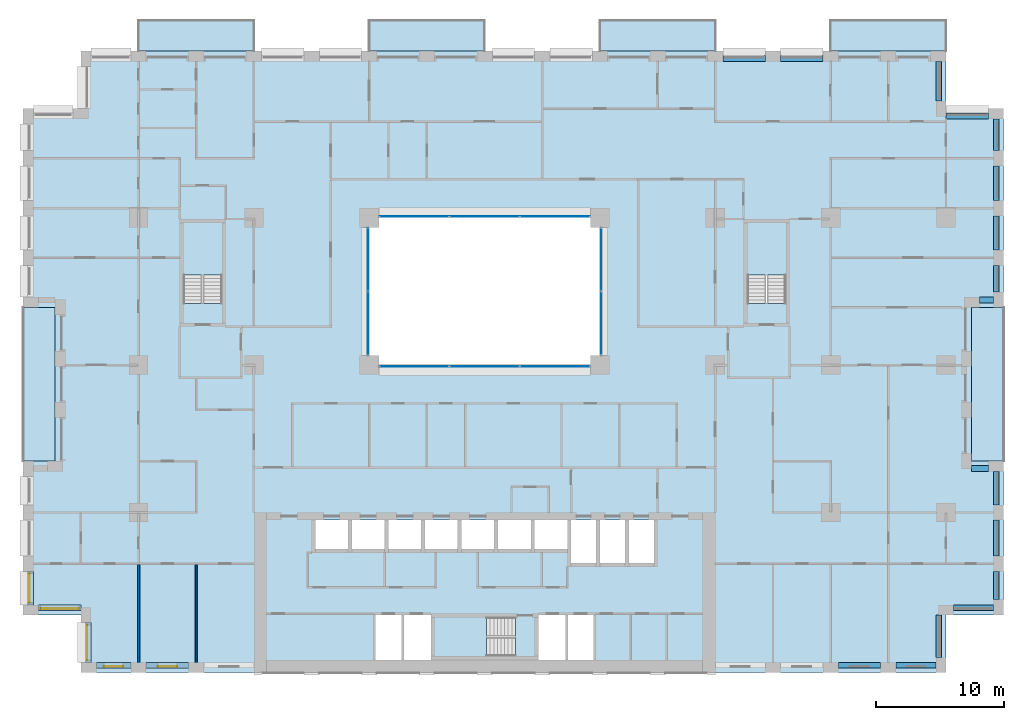
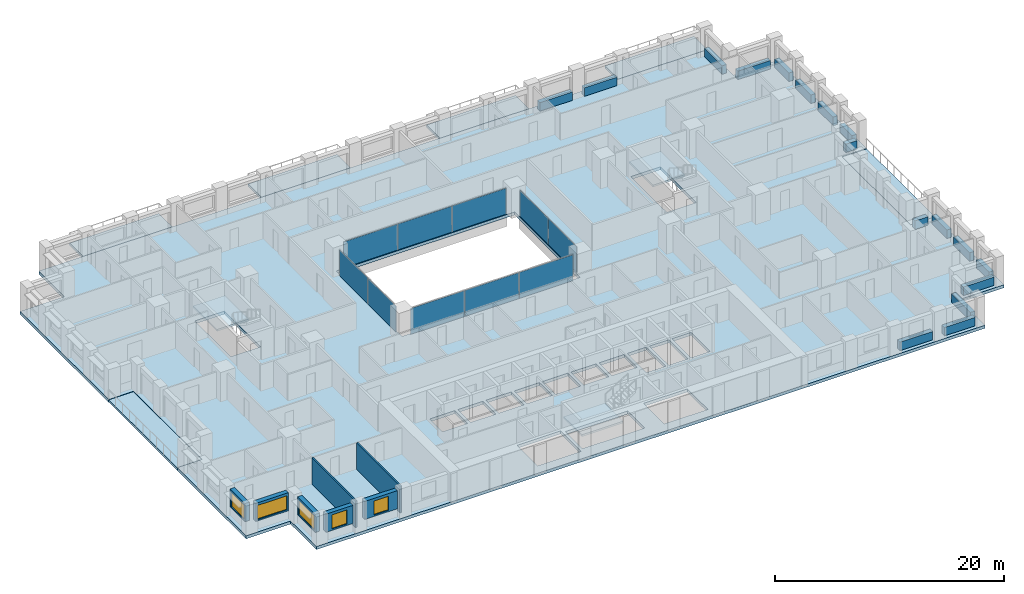
# One storey, part 8 of 20: 17 beams, 10 plates, 10 slabs, 7 walls, 5 windows, 5 openings, 7 elements without a shape of their own.
"""IFC4 building model written with IfcOpenShell, lengths in metres."""

import ifcopenshell
import ifcopenshell.guid

model = None  # the IFC model being written
_history = None  # IfcOwnerHistory: only IFC2X3 demands one
_inside = {}  # id of a spatial element -> (the spatial element, [elements in it])
_under = {}  # id of a project, library or spatial element -> (it, [spatial elements below it])
_declared = {}  # id of a project -> (the project, [libraries it declares])
_typed = {}  # id of a type object -> (the type object, [elements of that type])
_made_of = {}  # id of a material, layer set ... -> (it, [elements and type objects made of it])


def new_model(schema):
    """Start an empty IFC model of exactly this schema.

    Asked for "IFC4X3", IfcOpenShell would pick the latest addendum, in which some entities
    have other attributes; the version numbers below select the first issue.
    IFC2X3 requires an IfcOwnerHistory on every rooted entity: one is made here for all.
    """
    global model, _history
    if schema == "IFC4X3":
        model = ifcopenshell.file(schema_version=(4, 3, 0, 0))
    else:
        model = ifcopenshell.file(schema=schema)
    _inside.clear()
    _under.clear()
    _declared.clear()
    _typed.clear()
    _made_of.clear()
    _history = None
    if model.schema == "IFC2X3":
        org = make("IfcOrganization", Name="unknown")
        user = make(
            "IfcPersonAndOrganization",
            ThePerson=make("IfcPerson", FamilyName="unknown"),
            TheOrganization=org,
        )
        app = make(
            "IfcApplication",
            ApplicationDeveloper=org,
            Version="unknown",
            ApplicationFullName="unknown",
            ApplicationIdentifier="unknown",
        )
        _history = make(
            "IfcOwnerHistory",
            OwningUser=user,
            OwningApplication=app,
            ChangeAction="ADDED",
            CreationDate=0,
        )
    return model


def make(cls, **values):
    """One entity of the class cls with the attributes given. An attribute that is None is left unset."""
    return model.create_entity(
        cls, **{name: value for name, value in values.items() if value is not None}
    )


def rooted(cls, **values):
    """An entity with a GlobalId (a new one), such as an element, a storey or a relation."""
    return make(cls, GlobalId=ifcopenshell.guid.new(), OwnerHistory=_history, **values)


def si_unit(unit_type, name, prefix=None):
    """IfcSIUnit, for example si_unit("LENGTHUNIT", "METRE", prefix="MILLI")."""
    return make("IfcSIUnit", UnitType=unit_type, Prefix=prefix, Name=name)


def assignment(units):
    """IfcUnitAssignment: the units of a project."""
    return None if units is None else make("IfcUnitAssignment", Units=units)


def point(xyz):
    """IfcCartesianPoint."""
    return None if xyz is None else make("IfcCartesianPoint", Coordinates=xyz)


def direction(xyz):
    """IfcDirection."""
    return None if xyz is None else make("IfcDirection", DirectionRatios=xyz)


def frame(location, z_axis=None, x_axis=None):
    """IfcAxis2Placement3D, a coordinate frame: its origin and axes. An axis left out is left unset."""
    return make(
        "IfcAxis2Placement3D",
        Location=point(location),
        Axis=direction(z_axis),
        RefDirection=direction(x_axis),
    )


def frame_2d(location, x_axis=None):
    """IfcAxis2Placement2D, a coordinate frame in the plane: its origin and x axis."""
    return make(
        "IfcAxis2Placement2D", Location=point(location), RefDirection=direction(x_axis)
    )


def origin():
    """The frame at (0, 0, 0) with its axes left unset."""
    return frame((0.0, 0.0, 0.0))


def origin_2d():
    """The frame at (0, 0) in the plane with its x axis left unset."""
    return frame_2d((0.0, 0.0))


def place(relative_to, where):
    """IfcLocalPlacement: puts the frame where relative to a parent placement (None: the world)."""
    return make(
        "IfcLocalPlacement", PlacementRelTo=relative_to, RelativePlacement=where
    )


def context(
    kind, dimensions, precision=None, world=None, true_north=None, identifier=None
):
    """IfcGeometricRepresentationContext, for example the 3D "Model" context."""
    return make(
        "IfcGeometricRepresentationContext",
        ContextIdentifier=identifier,
        ContextType=kind,
        CoordinateSpaceDimension=dimensions,
        Precision=precision,
        WorldCoordinateSystem=world,
        TrueNorth=true_north,
    )


def subcontext(parent, identifier, kind, view, scale=None):
    """IfcGeometricRepresentationSubContext, for example "Body" below "Model"."""
    return make(
        "IfcGeometricRepresentationSubContext",
        ContextIdentifier=identifier,
        ContextType=kind,
        ParentContext=parent,
        TargetScale=scale,
        TargetView=view,
    )


def project(units=None, contexts=None):
    """IfcProject with its units and contexts."""
    return rooted(
        "IfcProject",
        Name="project",
        RepresentationContexts=contexts,
        UnitsInContext=assignment(units),
    )


def spatial(cls, under=None, at=None, **own):
    """A site, building, storey or space (cls), placed at a placement, below another one or the project."""
    s = rooted(cls, ObjectPlacement=at, **own)
    if under is not None:
        _under.setdefault(under.id(), (under, []))[1].append(s)
    return s


def polyline(points):
    """IfcPolyline through the points."""
    return make("IfcPolyline", Points=[point(p) for p in points])


def profile(cls, at=None, kind="AREA", **sizes):
    """A parametric profile (cls). Its sizes go by their IFC names, for example OverallWidth=200.0."""
    return make(cls, ProfileType=kind, Position=at, **sizes)


def rectangle(**sizes):
    """IfcRectangleProfileDef."""
    return profile("IfcRectangleProfileDef", **sizes)


def outline(outer, holes=None, kind="AREA"):
    """IfcArbitraryClosedProfileDef: a profile drawn as a closed curve; with holes, ...WithVoids."""
    if holes is None:
        return make("IfcArbitraryClosedProfileDef", ProfileType=kind, OuterCurve=outer)
    return make(
        "IfcArbitraryProfileDefWithVoids",
        ProfileType=kind,
        OuterCurve=outer,
        InnerCurves=holes,
    )


def extrude(swept, where, along, depth):
    """IfcExtrudedAreaSolid: the profile swept, set in the frame where, extruded along a direction by depth."""
    return make(
        "IfcExtrudedAreaSolid",
        SweptArea=swept,
        Position=where,
        ExtrudedDirection=direction(along),
        Depth=depth,
    )


def shape(context_of_items, identifier, shape_type, items):
    """IfcShapeRepresentation: the items that make up one representation, for example the "Body"."""
    return make(
        "IfcShapeRepresentation",
        ContextOfItems=context_of_items,
        RepresentationIdentifier=identifier,
        RepresentationType=shape_type,
        Items=items,
    )


def material(Name=None, Category=None):
    """IfcMaterial."""
    return make("IfcMaterial", Name=Name, Category=Category)


def layer(
    of_material, thickness, ventilated=None, Name=None, Category=None, Priority=None
):
    """IfcMaterialLayer: one layer of a wall or slab, of a material (None: an air gap)."""
    return make(
        "IfcMaterialLayer",
        Material=of_material,
        LayerThickness=thickness,
        IsVentilated=ventilated,
        Name=Name,
        Category=Category,
        Priority=Priority,
    )


def layer_set(layers, Name=None):
    """IfcMaterialLayerSet."""
    return make("IfcMaterialLayerSet", MaterialLayers=layers, LayerSetName=Name)


def material_profile(
    of_material, cross_section, Name=None, Category=None, Priority=None
):
    """IfcMaterialProfile: a cross section and its material."""
    return make(
        "IfcMaterialProfile",
        Name=Name,
        Material=of_material,
        Profile=cross_section,
        Priority=Priority,
        Category=Category,
    )


def profile_set(profiles, Name=None, composite=None):
    """IfcMaterialProfileSet."""
    return make(
        "IfcMaterialProfileSet",
        Name=Name,
        MaterialProfiles=profiles,
        CompositeProfile=composite,
    )


def made_of(thing, what):
    """Note that an element or type object is made of a material, layer set ...; save() writes the relation."""
    if what is not None:
        _made_of.setdefault(what.id(), (what, []))[1].append(thing)
    return thing


def type_object(cls, material=None, **own):
    """A type object (cls), such as IfcWallType, which elements share."""
    return made_of(rooted(cls, **own), material)


def element(
    cls,
    number,
    at=None,
    inside=None,
    cuts=None,
    type_object=None,
    material=None,
    context=None,
    identifier="Body",
    shape_type=None,
    held_by="IfcProductDefinitionShape",
    body=None,
    shapes=None,
    **own,
):
    """One element of the class cls, such as IfcWall. Its Tag is "e" and its number.

    at: its placement. inside: the storey or other place that contains it. cuts: it is an
    opening in that element (IfcRelVoidsElement). A single representation is given by context,
    identifier, shape_type and body (its items); several are given by shapes. held_by: the class
    of the entity that holds the representations. save() writes the other relations.
    """
    e = rooted(cls, Tag="e%d" % number, ObjectPlacement=at, **own)
    if body is not None:
        shapes = [shape(context, identifier, shape_type, body)]
    if shapes is not None:
        e.Representation = make(held_by, Representations=shapes)
    if inside is not None:
        _inside.setdefault(inside.id(), (inside, []))[1].append(e)
    if cuts is not None:
        rooted(
            "IfcRelVoidsElement", RelatingBuildingElement=cuts, RelatedOpeningElement=e
        )
    if type_object is not None:
        _typed.setdefault(type_object.id(), (type_object, []))[1].append(e)
    return made_of(e, material)


def fill(opening, filler):
    """IfcRelFillsElement: the door or window that sits in an opening."""
    return rooted(
        "IfcRelFillsElement",
        RelatingOpeningElement=opening,
        RelatedBuildingElement=filler,
    )


def aggregate(whole, parts):
    """IfcRelAggregates: a whole, such as a stair, and the parts it consists of."""
    return rooted("IfcRelAggregates", RelatingObject=whole, RelatedObjects=parts)


def save(model, path):
    """Write the relations noted so far, then the file.

    IfcRelAggregates (storeys below a building ...), IfcRelContainedInSpatialStructure (elements
    in a storey), IfcRelDefinesByType, IfcRelAssociatesMaterial and IfcRelDeclares: one each for
    every whole, place, type object, material and project.
    """
    for whole, parts in _under.values():
        aggregate(whole, parts)
    for where, things in _inside.values():
        rooted(
            "IfcRelContainedInSpatialStructure",
            RelatedElements=things,
            RelatingStructure=where,
        )
    for kind, things in _typed.values():
        rooted("IfcRelDefinesByType", RelatedObjects=things, RelatingType=kind)
    for what, things in _made_of.values():
        rooted("IfcRelAssociatesMaterial", RelatedObjects=things, RelatingMaterial=what)
    for by, libraries in _declared.values():
        rooted("IfcRelDeclares", RelatingContext=by, RelatedDefinitions=libraries)
    model.write(path)


model = new_model("IFC4")

# Units and contexts
model_context = context("Model", 3, precision=1e-05, world=origin(), true_north=direction((0.0, 1.0)))
body_context = subcontext(model_context, "Body", "Model", "MODEL_VIEW")
ifc_project = project(units=[si_unit("LENGTHUNIT", "METRE"), si_unit("AREAUNIT", "SQUARE_METRE"), si_unit("VOLUMEUNIT", "CUBIC_METRE"), si_unit("PLANEANGLEUNIT", "RADIAN"), si_unit("MASSUNIT", "GRAM", prefix="KILO")], contexts=[model_context])

# Site, building, storey
site_placement = place(None, origin())
site = spatial("IfcSite", under=ifc_project, at=site_placement, CompositionType="ELEMENT")
building_placement = place(site_placement, origin())
building = spatial("IfcBuilding", under=site, at=building_placement, Name="Brigalow Station Residences", CompositionType="ELEMENT")
storey_placement = place(building_placement, frame((0.0, 0.0, 63.60009765625)))
storey = spatial("IfcBuildingStorey", under=building, at=storey_placement, Name="L18", CompositionType="ELEMENT", Elevation=63.60009765625)

# Beams
ifc_material_1 = material(Name="Concrete C65", Category="concrete")
ifc_material_profile = material_profile(ifc_material_1, rectangle(XDim=0.449951171875, YDim=0.89990234375, at=origin_2d()), Name="RC450x900")
ifc_profile_set = profile_set([ifc_material_profile], Name="Concrete C65")
beam_type = type_object("IfcBeamType", Name="SPANDREL BEAM 450x900 C65", PredefinedType="SPANDREL", material=ifc_profile_set)
beam_1_placement = place(storey_placement, frame((63.60009765625, 0.574951171875, 0.449951171875), z_axis=(1.0, 0.0, 0.0), x_axis=(0.0, 1.0, 0.0)))
element("IfcBeam", 1, at=beam_1_placement, inside=storey, type_object=beam_type, Name="L18/spandrel/W-L18-7", PredefinedType="SPANDREL", context=body_context, shape_type="SweptSolid", body=[
    extrude(rectangle(XDim=0.449951171875, YDim=0.89990234375, at=origin_2d()), origin(), (0.0, 0.0, 1.0), 3.2998046875),
])
beam_2_placement = place(storey_placement, frame((68.10009765625, 0.574951171875, 0.449951171875), z_axis=(1.0, 0.0, 0.0), x_axis=(0.0, 1.0, 0.0)))
element("IfcBeam", 2, at=beam_2_placement, inside=storey, type_object=beam_type, Name="L18/spandrel/W-L18-8", PredefinedType="SPANDREL", context=body_context, shape_type="SweptSolid", body=[
    extrude(rectangle(XDim=0.449951171875, YDim=0.89990234375, at=origin_2d()), origin(), (0.0, 0.0, 1.0), 3.099853515625),
])
beam_3_placement = place(storey_placement, frame((71.425048828125, 1.199951171875, 0.449951171875), z_axis=(0.0, 1.0, 0.0), x_axis=(-1.0, 0.0, 0.0)))
element("IfcBeam", 3, at=beam_3_placement, inside=storey, type_object=beam_type, Name="L18/spandrel/W-L18-9", PredefinedType="SPANDREL", context=body_context, shape_type="SweptSolid", body=[
    extrude(rectangle(XDim=0.449951171875, YDim=0.89990234375, at=origin_2d()), origin(), (0.0, 0.0, 1.0), 3.300048828125),
])
beam_4_placement = place(storey_placement, frame((72.60009765625, 5.074951171875, 0.449951171875), z_axis=(1.0, 0.0, 0.0), x_axis=(0.0, 1.0, 0.0)))
element("IfcBeam", 4, at=beam_4_placement, inside=storey, type_object=beam_type, Name="L18/spandrel/W-L18-10", PredefinedType="SPANDREL", context=body_context, shape_type="SweptSolid", body=[
    extrude(rectangle(XDim=0.449951171875, YDim=0.89990234375, at=origin_2d()), origin(), (0.0, 0.0, 1.0), 3.099853515625),
])
beam_5_placement = place(storey_placement, frame((75.925048828125, 5.699951171875, 0.449951171875), z_axis=(0.0, 1.0, 0.0), x_axis=(-1.0, 0.0, 0.0)))
element("IfcBeam", 5, at=beam_5_placement, inside=storey, type_object=beam_type, Name="L18/spandrel/W-L18-11", PredefinedType="SPANDREL", context=body_context, shape_type="SweptSolid", body=[
    extrude(rectangle(XDim=0.449951171875, YDim=0.89990234375, at=origin_2d()), origin(), (0.0, 0.0, 1.0), 2.199951171875),
])
beam_6_placement = place(storey_placement, frame((75.925048828125, 9.10009765625, 0.449951171875), z_axis=(0.0, 1.0, 0.0), x_axis=(-1.0, 0.0, 0.0)))
element("IfcBeam", 6, at=beam_6_placement, inside=storey, type_object=beam_type, Name="L18/spandrel/W-L18-12", PredefinedType="SPANDREL", context=body_context, shape_type="SweptSolid", body=[
    extrude(rectangle(XDim=0.449951171875, YDim=0.89990234375, at=origin_2d()), origin(), (0.0, 0.0, 1.0), 2.7998046875),
])
beam_7_placement = place(storey_placement, frame((75.925048828125, 13.10009765625, 0.449951171875), z_axis=(0.0, 1.0, 0.0), x_axis=(-1.0, 0.0, 0.0)))
element("IfcBeam", 7, at=beam_7_placement, inside=storey, type_object=beam_type, Name="L18/spandrel/W-L18-13", PredefinedType="SPANDREL", context=body_context, shape_type="SweptSolid", body=[
    extrude(rectangle(XDim=0.449951171875, YDim=0.89990234375, at=origin_2d()), origin(), (0.0, 0.0, 1.0), 2.599853515625),
])
beam_8_placement = place(storey_placement, frame((75.300048828125, 15.925048828125, 0.449951171875), z_axis=(-1.0, 0.0, 0.0), x_axis=(0.0, -1.0, 0.0)))
element("IfcBeam", 8, at=beam_8_placement, inside=storey, type_object=beam_type, Name="L18/spandrel/W-L18-14", PredefinedType="SPANDREL", context=body_context, shape_type="SweptSolid", body=[
    extrude(rectangle(XDim=0.449951171875, YDim=0.89990234375, at=origin_2d()), origin(), (0.0, 0.0, 1.0), 1.300048828125),
])
beam_9_placement = place(storey_placement, frame((74.60009765625, 29.074951171875, 0.449951171875), z_axis=(1.0, 0.0, 0.0), x_axis=(0.0, 1.0, 0.0)))
element("IfcBeam", 9, at=beam_9_placement, inside=storey, type_object=beam_type, Name="L18/spandrel/W-L18-18", PredefinedType="SPANDREL", context=body_context, shape_type="SweptSolid", body=[
    extrude(rectangle(XDim=0.449951171875, YDim=0.89990234375, at=origin_2d()), origin(), (0.0, 0.0, 1.0), 1.099853515625),
])
beam_10_placement = place(storey_placement, frame((75.925048828125, 29.699951171875, 0.449951171875), z_axis=(0.0, 1.0, 0.0), x_axis=(-1.0, 0.0, 0.0)))
element("IfcBeam", 10, at=beam_10_placement, inside=storey, type_object=beam_type, Name="L18/spandrel/W-L18-19", PredefinedType="SPANDREL", context=body_context, shape_type="SweptSolid", body=[
    extrude(rectangle(XDim=0.449951171875, YDim=0.89990234375, at=origin_2d()), origin(), (0.0, 0.0, 1.0), 2.074951171875),
])
for number, where, z_axis, x_axis, name in (
    (11, (75.925048828125, 32.97509765625, 0.449951171875), (0.0, 1.0, 0.0), (-1.0, 0.0, 0.0), "L18/spandrel/W-L18-20"),
    (12, (75.925048828125, 36.85009765625, 0.449951171875), (0.0, 1.0, 0.0), (-1.0, 0.0, 0.0), "L18/spandrel/W-L18-21"),
):
    element("IfcBeam", number, at=place(storey_placement, frame(where, z_axis=z_axis, x_axis=x_axis)), inside=storey, type_object=beam_type, Name=name, PredefinedType="SPANDREL", context=body_context, shape_type="SweptSolid", body=[
        extrude(rectangle(XDim=0.449951171875, YDim=0.89990234375, at=origin_2d()), origin(), (0.0, 0.0, 1.0), 2.6748046875),
    ])
beam_11_placement = place(storey_placement, frame((75.925048828125, 40.72509765625, 0.449951171875), z_axis=(0.0, 1.0, 0.0), x_axis=(-1.0, 0.0, 0.0)))
element("IfcBeam", 13, at=beam_11_placement, inside=storey, type_object=beam_type, Name="L18/spandrel/W-L18-22", PredefinedType="SPANDREL", context=body_context, shape_type="SweptSolid", body=[
    extrude(rectangle(XDim=0.449951171875, YDim=0.89990234375, at=origin_2d()), origin(), (0.0, 0.0, 1.0), 2.474853515625),
])
beam_12_placement = place(storey_placement, frame((75.300048828125, 43.425048828125, 0.449951171875), z_axis=(-1.0, 0.0, 0.0), x_axis=(0.0, -1.0, 0.0)))
element("IfcBeam", 14, at=beam_12_placement, inside=storey, type_object=beam_type, Name="L18/spandrel/W-L18-23", PredefinedType="SPANDREL", context=body_context, shape_type="SweptSolid", body=[
    extrude(rectangle(XDim=0.449951171875, YDim=0.89990234375, at=origin_2d()), origin(), (0.0, 0.0, 1.0), 3.300048828125),
])
beam_13_placement = place(storey_placement, frame((71.425048828125, 44.60009765625, 0.449951171875), z_axis=(0.0, 1.0, 0.0), x_axis=(-1.0, 0.0, 0.0)))
element("IfcBeam", 15, at=beam_13_placement, inside=storey, type_object=beam_type, Name="L18/spandrel/W-L18-24", PredefinedType="SPANDREL", context=body_context, shape_type="SweptSolid", body=[
    extrude(rectangle(XDim=0.449951171875, YDim=0.89990234375, at=origin_2d()), origin(), (0.0, 0.0, 1.0), 3.099853515625),
])
for number, where, z_axis, x_axis, name in (
    (16, (62.39990234375, 47.925048828125, 0.449951171875), (-1.0, 0.0, 0.0), (0.0, -1.0, 0.0), "L18/spandrel/W-L18-27"),
    (17, (57.89990234375, 47.925048828125, 0.449951171875), (-1.0, 0.0, 0.0), (0.0, -1.0, 0.0), "L18/spandrel/W-L18-28"),
):
    element("IfcBeam", number, at=place(storey_placement, frame(where, z_axis=z_axis, x_axis=x_axis)), inside=storey, type_object=beam_type, Name=name, PredefinedType="SPANDREL", context=body_context, shape_type="SweptSolid", body=[
        extrude(rectangle(XDim=0.449951171875, YDim=0.89990234375, at=origin_2d()), origin(), (0.0, 0.0, 1.0), 3.2998046875),
    ])

# Curtain wall, plates
ifc_material_2 = material(Name="Aluminium", Category="aluminium")
ifc_layer_1 = layer(ifc_material_2, 0.14990234375)
ifc_layer_set_1 = layer_set([ifc_layer_1], Name="ATRIUM FIRE-RATED GLAZING CURTAIN WALL")
curtain_wall_type = type_object("IfcCurtainWallType", Name="ATRIUM FIRE-RATED GLAZING CURTAIN WALL", PredefinedType="NOTDEFINED", material=ifc_layer_set_1)
curtain_wall_1_placement = place(storey_placement, origin())
curtain_wall_1 = element("IfcCurtainWall", 18, at=curtain_wall_1_placement, inside=storey, type_object=curtain_wall_type, Name="L18/cw/atrium-S", PredefinedType="NOTDEFINED")
ifc_material_3 = material(Name="Fire-resisting laminated glazing, FRL -/60/-", Category="glass")
ifc_layer_2 = layer(ifc_material_3, 0.031982421875)
ifc_layer_set_2 = layer_set([ifc_layer_2], Name="ATRIUM FIRE-RATED GLAZING PANEL 32")
plate_type = type_object("IfcPlateType", Name="ATRIUM FIRE-RATED GLAZING PANEL 32", PredefinedType="CURTAIN_PANEL", material=ifc_layer_set_2)
plate_1_placement = place(storey_placement, frame((30.514892578125, 23.89990234375, 0.0), z_axis=(0.0, 0.0, 1.0), x_axis=(1.0, 0.0, 0.0)))
plate_1 = element("IfcPlate", 19, at=plate_1_placement, type_object=plate_type, Name="L18/cw/atrium-S/P00-00", PredefinedType="CURTAIN_PANEL", context=body_context, shape_type="SweptSolid", body=[
    extrude(rectangle(XDim=5.409912109375, YDim=0.031982421875, at=origin_2d()), origin(), (0.0, 0.0, 1.0), 2.77001953125),
])
plate_2_placement = place(storey_placement, frame((36.0, 23.89990234375, 0.0), z_axis=(0.0, 0.0, 1.0), x_axis=(1.0, 0.0, 0.0)))
plate_2 = element("IfcPlate", 20, at=plate_2_placement, type_object=plate_type, Name="L18/cw/atrium-S/P01-00", PredefinedType="CURTAIN_PANEL", context=body_context, shape_type="SweptSolid", body=[
    extrude(rectangle(XDim=5.43994140625, YDim=0.031982421875, at=origin_2d()), origin(), (0.0, 0.0, 1.0), 2.77001953125),
])
plate_3_placement = place(storey_placement, frame((41.485107421875, 23.89990234375, 0.0), z_axis=(0.0, 0.0, 1.0), x_axis=(1.0, 0.0, 0.0)))
plate_3 = element("IfcPlate", 21, at=plate_3_placement, type_object=plate_type, Name="L18/cw/atrium-S/P02-00", PredefinedType="CURTAIN_PANEL", context=body_context, shape_type="SweptSolid", body=[
    extrude(rectangle(XDim=5.409912109375, YDim=0.031982421875, at=origin_2d()), origin(), (0.0, 0.0, 1.0), 2.77001953125),
])
aggregate(curtain_wall_1, [plate_1, plate_2, plate_3])

curtain_wall_2_placement = place(storey_placement, origin())
curtain_wall_2 = element("IfcCurtainWall", 22, at=curtain_wall_2_placement, inside=storey, type_object=curtain_wall_type, Name="L18/cw/atrium-E", PredefinedType="NOTDEFINED")
plate_4_placement = place(storey_placement, frame((45.10009765625, 27.264892578125, 0.0), z_axis=(0.0, 0.0, 1.0), x_axis=(0.0, 1.0, 0.0)))
plate_4 = element("IfcPlate", 23, at=plate_4_placement, type_object=plate_type, Name="L18/cw/atrium-E/P00-00", PredefinedType="CURTAIN_PANEL", context=body_context, shape_type="SweptSolid", body=[
    extrude(rectangle(XDim=4.909912109375, YDim=0.031982421875, at=origin_2d()), origin(), (0.0, 0.0, 1.0), 2.77001953125),
])
plate_5_placement = place(storey_placement, frame((45.10009765625, 32.235107421875, 0.0), z_axis=(0.0, 0.0, 1.0), x_axis=(0.0, 1.0, 0.0)))
plate_5 = element("IfcPlate", 24, at=plate_5_placement, type_object=plate_type, Name="L18/cw/atrium-E/P01-00", PredefinedType="CURTAIN_PANEL", context=body_context, shape_type="SweptSolid", body=[
    extrude(rectangle(XDim=4.909912109375, YDim=0.031982421875, at=origin_2d()), origin(), (0.0, 0.0, 1.0), 2.77001953125),
])
aggregate(curtain_wall_2, [plate_4, plate_5])

curtain_wall_3_placement = place(storey_placement, origin())
curtain_wall_3 = element("IfcCurtainWall", 25, at=curtain_wall_3_placement, inside=storey, type_object=curtain_wall_type, Name="L18/cw/atrium-N", PredefinedType="NOTDEFINED")
plate_6_placement = place(storey_placement, frame((41.485107421875, 35.60009765625, 0.0), z_axis=(0.0, 0.0, 1.0), x_axis=(-1.0, 0.0, 0.0)))
plate_6 = element("IfcPlate", 26, at=plate_6_placement, type_object=plate_type, Name="L18/cw/atrium-N/P00-00", PredefinedType="CURTAIN_PANEL", context=body_context, shape_type="SweptSolid", body=[
    extrude(rectangle(XDim=5.409912109375, YDim=0.031982421875, at=origin_2d()), origin(), (0.0, 0.0, 1.0), 2.77001953125),
])
plate_7_placement = place(storey_placement, frame((36.0, 35.60009765625, 0.0), z_axis=(0.0, 0.0, 1.0), x_axis=(-1.0, 0.0, 0.0)))
plate_7 = element("IfcPlate", 27, at=plate_7_placement, type_object=plate_type, Name="L18/cw/atrium-N/P01-00", PredefinedType="CURTAIN_PANEL", context=body_context, shape_type="SweptSolid", body=[
    extrude(rectangle(XDim=5.43994140625, YDim=0.031982421875, at=origin_2d()), origin(), (0.0, 0.0, 1.0), 2.77001953125),
])
plate_8_placement = place(storey_placement, frame((30.514892578125, 35.60009765625, 0.0), z_axis=(0.0, 0.0, 1.0), x_axis=(-1.0, 0.0, 0.0)))
plate_8 = element("IfcPlate", 28, at=plate_8_placement, type_object=plate_type, Name="L18/cw/atrium-N/P02-00", PredefinedType="CURTAIN_PANEL", context=body_context, shape_type="SweptSolid", body=[
    extrude(rectangle(XDim=5.409912109375, YDim=0.031982421875, at=origin_2d()), origin(), (0.0, 0.0, 1.0), 2.77001953125),
])
aggregate(curtain_wall_3, [plate_6, plate_7, plate_8])

curtain_wall_4_placement = place(storey_placement, origin())
curtain_wall_4 = element("IfcCurtainWall", 29, at=curtain_wall_4_placement, inside=storey, type_object=curtain_wall_type, Name="L18/cw/atrium-W", PredefinedType="NOTDEFINED")
plate_9_placement = place(storey_placement, frame((26.89990234375, 32.235107421875, 0.0), z_axis=(0.0, 0.0, 1.0), x_axis=(0.0, -1.0, 0.0)))
plate_9 = element("IfcPlate", 30, at=plate_9_placement, type_object=plate_type, Name="L18/cw/atrium-W/P00-00", PredefinedType="CURTAIN_PANEL", context=body_context, shape_type="SweptSolid", body=[
    extrude(rectangle(XDim=4.909912109375, YDim=0.031982421875, at=origin_2d()), origin(), (0.0, 0.0, 1.0), 2.77001953125),
])
plate_10_placement = place(storey_placement, frame((26.89990234375, 27.264892578125, 0.0), z_axis=(0.0, 0.0, 1.0), x_axis=(0.0, -1.0, 0.0)))
plate_10 = element("IfcPlate", 31, at=plate_10_placement, type_object=plate_type, Name="L18/cw/atrium-W/P01-00", PredefinedType="CURTAIN_PANEL", context=body_context, shape_type="SweptSolid", body=[
    extrude(rectangle(XDim=4.909912109375, YDim=0.031982421875, at=origin_2d()), origin(), (0.0, 0.0, 1.0), 2.77001953125),
])
aggregate(curtain_wall_4, [plate_9, plate_10])

# Slabs
ifc_material_4 = material(Name="Concrete C50 precast", Category="concrete")
ifc_layer_3 = layer(ifc_material_4, 0.25)
ifc_layer_set_3 = layer_set([ifc_layer_3], Name="BALCONY SLAB 250")
slab_type_1 = type_object("IfcSlabType", Name="BALCONY SLAB 250", PredefinedType="USERDEFINED", material=ifc_layer_set_3)
slab_1_placement = place(storey_placement, frame((0.0, 0.0, -0.2900390625)))
element("IfcSlab", 32, at=slab_1_placement, inside=storey, type_object=slab_type_1, Name="L18/balcony/1", ObjectType="BALCONY", PredefinedType="USERDEFINED", context=body_context, shape_type="SweptSolid", body=[
    extrude(outline(polyline([(74.0, 16.5), (76.5, 16.5), (76.5, 28.5), (74.0, 28.5), (74.0, 16.5)])), origin(), (0.0, 0.0, 1.0), 0.25),
])
slab_2_placement = place(storey_placement, frame((0.0, 0.0, -0.2900390625)))
element("IfcSlab", 33, at=slab_2_placement, inside=storey, type_object=slab_type_1, Name="L18/balcony/2", ObjectType="BALCONY", PredefinedType="USERDEFINED", context=body_context, shape_type="SweptSolid", body=[
    extrude(outline(polyline([(72.0, 48.5), (72.0, 50.89990234375), (63.0, 50.89990234375), (63.0, 48.5), (72.0, 48.5)])), origin(), (0.0, 0.0, 1.0), 0.25),
])
slab_3_placement = place(storey_placement, frame((0.0, 0.0, -0.2900390625)))
element("IfcSlab", 34, at=slab_3_placement, inside=storey, type_object=slab_type_1, Name="L18/balcony/3", ObjectType="BALCONY", PredefinedType="USERDEFINED", context=body_context, shape_type="SweptSolid", body=[
    extrude(outline(polyline([(54.0, 48.5), (54.0, 50.89990234375), (45.0, 50.89990234375), (45.0, 48.5), (54.0, 48.5)])), origin(), (0.0, 0.0, 1.0), 0.25),
])
slab_4_placement = place(storey_placement, frame((0.0, 0.0, -0.2900390625)))
element("IfcSlab", 35, at=slab_4_placement, inside=storey, type_object=slab_type_1, Name="L18/balcony/4", ObjectType="BALCONY", PredefinedType="USERDEFINED", context=body_context, shape_type="SweptSolid", body=[
    extrude(outline(polyline([(36.0, 48.5), (36.0, 50.89990234375), (27.0, 50.89990234375), (27.0, 48.5), (36.0, 48.5)])), origin(), (0.0, 0.0, 1.0), 0.25),
])
slab_5_placement = place(storey_placement, frame((0.0, 0.0, -0.2900390625)))
element("IfcSlab", 36, at=slab_5_placement, inside=storey, type_object=slab_type_1, Name="L18/balcony/5", ObjectType="BALCONY", PredefinedType="USERDEFINED", context=body_context, shape_type="SweptSolid", body=[
    extrude(outline(polyline([(18.0, 48.5), (18.0, 50.89990234375), (9.0, 50.89990234375), (9.0, 48.5), (18.0, 48.5)])), origin(), (0.0, 0.0, 1.0), 0.25),
])
slab_6_placement = place(storey_placement, frame((0.0, 0.0, -0.2900390625)))
element("IfcSlab", 37, at=slab_6_placement, inside=storey, type_object=slab_type_1, Name="L18/balcony/6", ObjectType="BALCONY", PredefinedType="USERDEFINED", context=body_context, shape_type="SweptSolid", body=[
    extrude(outline(polyline([(2.5, 28.5), (0.0, 28.5), (0.0, 16.5), (2.5, 16.5), (2.5, 28.5)])), origin(), (0.0, 0.0, 1.0), 0.25),
])
ifc_material_5 = material(Name="Concrete C50", Category="concrete")
ifc_layer_4 = layer(ifc_material_5, 0.320068359375)
ifc_layer_set_4 = layer_set([ifc_layer_4], Name="POST-TENSIONED FLAT PLATE 320 C50")
slab_type_2 = type_object("IfcSlabType", Name="POST-TENSIONED FLAT PLATE 320 C50", PredefinedType="FLOOR", material=ifc_layer_set_4)
slab_7_placement = place(storey_placement, frame((0.0, 0.0, -0.320068359375)))
element("IfcSlab", 38, at=slab_7_placement, inside=storey, type_object=slab_type_2, Name="FLOOR SLAB L18", PredefinedType="FLOOR", context=body_context, shape_type="SweptSolid", body=[
    extrude(outline(polyline([(4.5, 0.0), (72.0, 0.0), (72.0, 4.5), (76.5, 4.5), (76.5, 16.5), (74.0, 16.5), (74.0, 28.5), (76.5, 28.5), (76.5, 44.0), (72.0, 44.0), (72.0, 48.5), (4.5, 48.5), (4.5, 44.0), (0.0, 44.0), (0.0, 28.5), (2.5, 28.5), (2.5, 16.5), (0.0, 16.5), (0.0, 4.5), (4.5, 4.5), (4.5, 0.0)]), holes=[polyline([(15.4951171875, 35.094970703125), (15.4951171875, 28.804931640625), (12.5048828125, 28.804931640625), (12.5048828125, 35.094970703125), (15.4951171875, 35.094970703125)]), polyline([(22.800048828125, 11.89990234375), (25.35009765625, 11.89990234375), (25.35009765625, 9.64990234375), (22.800048828125, 9.64990234375), (22.800048828125, 11.89990234375)]), polyline([(25.64990234375, 11.89990234375), (28.199951171875, 11.89990234375), (28.199951171875, 9.64990234375), (25.64990234375, 9.64990234375), (25.64990234375, 11.89990234375)]), polyline([(28.5, 11.89990234375), (31.050048828125, 11.89990234375), (31.050048828125, 9.64990234375), (28.5, 9.64990234375), (28.5, 11.89990234375)]), polyline([(29.60009765625, 1.0), (27.39990234375, 1.0), (27.39990234375, 4.60009765625), (29.60009765625, 4.60009765625), (31.800048828125, 4.60009765625), (31.800048828125, 1.0), (29.60009765625, 1.0)]), polyline([(31.35009765625, 11.89990234375), (33.89990234375, 11.89990234375), (33.89990234375, 9.64990234375), (31.35009765625, 9.64990234375), (31.35009765625, 11.89990234375)]), polyline([(32.10498046875, 4.294921875), (38.39501953125, 4.294921875), (38.39501953125, 1.304931640625), (32.10498046875, 1.304931640625), (32.10498046875, 4.294921875)]), polyline([(36.75, 11.89990234375), (36.75, 9.64990234375), (34.199951171875, 9.64990234375), (34.199951171875, 11.89990234375), (36.75, 11.89990234375)]), polyline([(37.050048828125, 11.89990234375), (39.60009765625, 11.89990234375), (39.60009765625, 9.64990234375), (37.050048828125, 9.64990234375), (37.050048828125, 11.89990234375)]), polyline([(39.89990234375, 11.89990234375), (42.449951171875, 11.89990234375), (42.449951171875, 9.64990234375), (39.89990234375, 9.64990234375), (39.89990234375, 11.89990234375)]), polyline([(42.39990234375, 1.0), (40.199951171875, 1.0), (40.199951171875, 4.60009765625), (42.39990234375, 4.60009765625), (44.60009765625, 4.60009765625), (44.60009765625, 1.0), (42.39990234375, 1.0)]), polyline([(42.75, 11.89990234375), (44.699951171875, 11.89990234375), (44.699951171875, 8.550048828125), (42.75, 8.550048828125), (42.75, 11.89990234375)]), polyline([(45.0, 11.89990234375), (46.949951171875, 11.89990234375), (46.949951171875, 8.550048828125), (45.0, 8.550048828125), (45.0, 11.89990234375)]), polyline([(45.0, 35.5), (45.0, 24.0), (27.0, 24.0), (27.0, 35.5), (45.0, 35.5)]), polyline([(47.25, 11.89990234375), (49.199951171875, 11.89990234375), (49.199951171875, 8.550048828125), (47.25, 8.550048828125), (47.25, 11.89990234375)]), polyline([(59.4951171875, 35.094970703125), (59.4951171875, 28.804931640625), (56.5048828125, 28.804931640625), (56.5048828125, 35.094970703125), (59.4951171875, 35.094970703125)])]), origin(), (0.0, 0.0, 1.0), 0.320068359375),
])

# Stair, slab
ifc_material_6 = material(Name="Concrete C50", Category="concrete")
stair_type = type_object("IfcStairType", Name="EXIT STAIR 1400 2 FLIGHT", PredefinedType="HALF_TURN_STAIR", material=ifc_material_6)
stair_1_placement = place(storey_placement, origin())
stair_1 = element("IfcStair", 39, at=stair_1_placement, inside=storey, type_object=stair_type, Name="EXIT STAIR S2 L18", PredefinedType="HALF_TURN_STAIR")
ifc_material_7 = material(Name="Concrete C50", Category="concrete")
ifc_layer_5 = layer(ifc_material_7, 0.199951171875)
ifc_layer_set_5 = layer_set([ifc_layer_5], Name="STAIR LANDING 200")
slab_type_3 = type_object("IfcSlabType", Name="STAIR LANDING 200", PredefinedType="LANDING", material=ifc_layer_set_5)
slab_8_placement = place(storey_placement, frame((0.0, 0.0, 1.375)))
slab_8 = element("IfcSlab", 40, at=slab_8_placement, type_object=slab_type_3, Name="ST-2 landing 1", PredefinedType="LANDING", context=body_context, shape_type="SweptSolid", body=[
    extrude(outline(polyline([(32.0, 1.199951171875), (36.159912109375, 1.199951171875), (36.159912109375, 4.39990234375), (32.0, 4.39990234375), (32.0, 1.199951171875)])), origin(), (0.0, 0.0, 1.0), 0.199951171875),
])
aggregate(stair_1, [slab_8])

stair_2_placement = place(storey_placement, origin())
stair_2 = element("IfcStair", 41, at=stair_2_placement, inside=storey, type_object=stair_type, Name="EXIT STAIR S1 L18", PredefinedType="HALF_TURN_STAIR")
slab_9_placement = place(storey_placement, frame((0.0, 0.0, 1.375)))
slab_9 = element("IfcSlab", 42, at=slab_9_placement, type_object=slab_type_3, Name="ST-1 landing 1", PredefinedType="LANDING", context=body_context, shape_type="SweptSolid", body=[
    extrude(outline(polyline([(12.39990234375, 31.0400390625), (15.60009765625, 31.0400390625), (15.60009765625, 35.199951171875), (12.39990234375, 35.199951171875), (12.39990234375, 31.0400390625)])), origin(), (0.0, 0.0, 1.0), 0.199951171875),
])
aggregate(stair_2, [slab_9])

stair_3_placement = place(storey_placement, origin())
stair_3 = element("IfcStair", 43, at=stair_3_placement, inside=storey, type_object=stair_type, Name="EXIT STAIR S3 L18", PredefinedType="HALF_TURN_STAIR")
slab_10_placement = place(storey_placement, frame((0.0, 0.0, 1.375)))
slab_10 = element("IfcSlab", 44, at=slab_10_placement, type_object=slab_type_3, Name="ST-3 landing 1", PredefinedType="LANDING", context=body_context, shape_type="SweptSolid", body=[
    extrude(outline(polyline([(56.39990234375, 31.0400390625), (59.60009765625, 31.0400390625), (59.60009765625, 35.199951171875), (56.39990234375, 35.199951171875), (56.39990234375, 31.0400390625)])), origin(), (0.0, 0.0, 1.0), 0.199951171875),
])
aggregate(stair_3, [slab_10])

# Wall, opening, window
ifc_material_8 = material(Name="Clay brick masonry", Category="masonry")
ifc_layer_6 = layer(ifc_material_8, 0.449951171875)
ifc_layer_set_6 = layer_set([ifc_layer_6], Name="BRICK INFILL WALL 450")
wall_type_1 = type_object("IfcWallType", Name="BRICK INFILL WALL 450", PredefinedType="SOLIDWALL", material=ifc_layer_set_6)
wall_1_placement = place(storey_placement, frame((5.699951171875, 0.574951171875, 0.89990234375), z_axis=(0.0, 0.0, 1.0), x_axis=(1.0, 0.0, 0.0)))
wall_1 = element("IfcWall", 45, at=wall_1_placement, inside=storey, type_object=wall_type_1, Name="L18/ewall/W-L18-1", PredefinedType="SOLIDWALL", context=body_context, shape_type="SweptSolid", body=[
    extrude(rectangle(XDim=2.699951171875, YDim=0.449951171875, at=frame_2d((1.35009765625, 0.0))), origin(), (0.0, 0.0, 1.0), 1.929931640625),
])
opening_1_placement = place(wall_1_placement, frame((0.60009765625, 0.0, 0.14990234375)))
opening_1 = element("IfcOpeningElement", 46, at=opening_1_placement, cuts=wall_1, Name="Opening WT-1", PredefinedType="OPENING", context=body_context, shape_type="SweptSolid", body=[
    extrude(rectangle(XDim=1.5, YDim=1.5, at=frame_2d((0.75, 0.75))), frame((0.0, 0.23486328125, 0.0), z_axis=(0.0, -1.0, 0.0), x_axis=(1.0, 0.0, 0.0)), (0.0, 0.0, 1.0), 0.469970703125),
])
ifc_material_9 = material(Name="Anodised aluminium frame with double glazing", Category="aluminium")
window_type_1 = type_object("IfcWindowType", Name="WINDOW 1500x1500", PartitioningType="SINGLE_PANEL", PredefinedType="WINDOW", material=ifc_material_9)
window_1_placement = place(opening_1_placement, origin())
window_1 = element("IfcWindow", 47, at=window_1_placement, inside=storey, type_object=window_type_1, Name="L18/window/W-L18-1", OverallHeight=1.5, OverallWidth=1.5, PartitioningType="SINGLE_PANEL", PredefinedType="WINDOW", context=body_context, shape_type="SweptSolid", body=[
    extrude(rectangle(XDim=1.5, YDim=1.5, at=frame_2d((0.75, 0.75))), frame((0.0, -0.06494140625, 0.0), z_axis=(0.0, -1.0, 0.0), x_axis=(1.0, 0.0, 0.0)), (0.0, 0.0, 1.0), 0.06005859375),
])
fill(opening_1, window_1)

wall_2_placement = place(storey_placement, frame((9.60009765625, 0.574951171875, 0.89990234375), z_axis=(0.0, 0.0, 1.0), x_axis=(1.0, 0.0, 0.0)))
wall_2 = element("IfcWall", 48, at=wall_2_placement, inside=storey, type_object=wall_type_1, Name="L18/ewall/W-L18-2", PredefinedType="SOLIDWALL", context=body_context, shape_type="SweptSolid", body=[
    extrude(rectangle(XDim=3.2998046875, YDim=0.449951171875, at=frame_2d((1.64990234375, 0.0))), origin(), (0.0, 0.0, 1.0), 1.929931640625),
])
opening_2_placement = place(wall_2_placement, frame((0.89990234375, 0.0, 0.14990234375)))
opening_2 = element("IfcOpeningElement", 49, at=opening_2_placement, cuts=wall_2, Name="Opening WT-1", PredefinedType="OPENING", context=body_context, shape_type="SweptSolid", body=[
    extrude(rectangle(XDim=1.5, YDim=1.5, at=frame_2d((0.75, 0.75))), frame((0.0, 0.23486328125, 0.0), z_axis=(0.0, -1.0, 0.0), x_axis=(1.0, 0.0, 0.0)), (0.0, 0.0, 1.0), 0.469970703125),
])
window_2_placement = place(opening_2_placement, origin())
window_2 = element("IfcWindow", 50, at=window_2_placement, inside=storey, type_object=window_type_1, Name="L18/window/W-L18-2", OverallHeight=1.5, OverallWidth=1.5, PartitioningType="SINGLE_PANEL", PredefinedType="WINDOW", context=body_context, shape_type="SweptSolid", body=[
    extrude(rectangle(XDim=1.5, YDim=1.5, at=frame_2d((0.75, 0.75))), frame((0.0, -0.06494140625, 0.0), z_axis=(0.0, -1.0, 0.0), x_axis=(1.0, 0.0, 0.0)), (0.0, 0.0, 1.0), 0.06005859375),
])
fill(opening_2, window_2)

wall_3_placement = place(storey_placement, frame((0.574951171875, 7.89990234375, 0.89990234375), z_axis=(0.0, 0.0, 1.0), x_axis=(0.0, -1.0, 0.0)))
wall_3 = element("IfcWall", 51, at=wall_3_placement, inside=storey, type_object=wall_type_1, Name="L18/ewall/W-L18-53", PredefinedType="SOLIDWALL", context=body_context, shape_type="SweptSolid", body=[
    extrude(rectangle(XDim=2.599853515625, YDim=0.449951171875, at=frame_2d((1.2998046875, 0.0))), origin(), (0.0, 0.0, 1.0), 1.929931640625),
])
opening_3_placement = place(wall_3_placement, frame((0.175048828125, 0.0, 0.14990234375)))
opening_3 = element("IfcOpeningElement", 52, at=opening_3_placement, cuts=wall_3, Name="Opening WT-6", PredefinedType="OPENING", context=body_context, shape_type="SweptSolid", body=[
    extrude(rectangle(XDim=2.25, YDim=1.5, at=frame_2d((1.125, 0.75))), frame((0.0, 0.23486328125, 0.0), z_axis=(0.0, -1.0, 0.0), x_axis=(1.0, 0.0, 0.0)), (0.0, 0.0, 1.0), 0.469970703125),
])
ifc_material_10 = material(Name="Anodised aluminium frame with double glazing", Category="aluminium")
window_type_2 = type_object("IfcWindowType", Name="WINDOW 2250x1500", PartitioningType="SINGLE_PANEL", PredefinedType="WINDOW", material=ifc_material_10)
window_3_placement = place(opening_3_placement, origin())
window_3 = element("IfcWindow", 53, at=window_3_placement, inside=storey, type_object=window_type_2, Name="L18/window/W-L18-53", OverallHeight=1.5, OverallWidth=2.25, PartitioningType="SINGLE_PANEL", PredefinedType="WINDOW", context=body_context, shape_type="SweptSolid", body=[
    extrude(rectangle(XDim=2.25, YDim=1.5, at=frame_2d((1.125, 0.75))), frame((0.0, -0.06494140625, 0.0), z_axis=(0.0, -1.0, 0.0), x_axis=(1.0, 0.0, 0.0)), (0.0, 0.0, 1.0), 0.06005859375),
])
fill(opening_3, window_3)

wall_4_placement = place(storey_placement, frame((1.199951171875, 5.074951171875, 0.89990234375), z_axis=(0.0, 0.0, 1.0), x_axis=(1.0, 0.0, 0.0)))
wall_4 = element("IfcWall", 54, at=wall_4_placement, inside=storey, type_object=wall_type_1, Name="L18/ewall/W-L18-54", PredefinedType="SOLIDWALL", context=body_context, shape_type="SweptSolid", body=[
    extrude(rectangle(XDim=3.300048828125, YDim=0.449951171875, at=frame_2d((1.64990234375, 0.0))), origin(), (0.0, 0.0, 1.0), 1.929931640625),
])
opening_4_placement = place(wall_4_placement, frame((0.14990234375, 0.0, 0.14990234375)))
opening_4 = element("IfcOpeningElement", 55, at=opening_4_placement, cuts=wall_4, Name="Opening WT-2", PredefinedType="OPENING", context=body_context, shape_type="SweptSolid", body=[
    extrude(rectangle(XDim=3.0, YDim=1.5, at=frame_2d((1.5, 0.75))), frame((0.0, 0.23486328125, 0.0), z_axis=(0.0, -1.0, 0.0), x_axis=(1.0, 0.0, 0.0)), (0.0, 0.0, 1.0), 0.469970703125),
])
ifc_material_11 = material(Name="Anodised aluminium frame with double glazing", Category="aluminium")
window_type_3 = type_object("IfcWindowType", Name="WINDOW 3000x1500", PartitioningType="SINGLE_PANEL", PredefinedType="WINDOW", material=ifc_material_11)
window_4_placement = place(opening_4_placement, origin())
window_4 = element("IfcWindow", 56, at=window_4_placement, inside=storey, type_object=window_type_3, Name="L18/window/W-L18-54", OverallHeight=1.5, OverallWidth=3.0, PartitioningType="SINGLE_PANEL", PredefinedType="WINDOW", context=body_context, shape_type="SweptSolid", body=[
    extrude(rectangle(XDim=3.0, YDim=1.5, at=frame_2d((1.5, 0.75))), frame((0.0, -0.06494140625, 0.0), z_axis=(0.0, -1.0, 0.0), x_axis=(1.0, 0.0, 0.0)), (0.0, 0.0, 1.0), 0.06005859375),
])
fill(opening_4, window_4)

wall_5_placement = place(storey_placement, frame((5.074951171875, 3.89990234375, 0.89990234375), z_axis=(0.0, 0.0, 1.0), x_axis=(0.0, -1.0, 0.0)))
wall_5 = element("IfcWall", 57, at=wall_5_placement, inside=storey, type_object=wall_type_1, Name="L18/ewall/W-L18-55", PredefinedType="SOLIDWALL", context=body_context, shape_type="SweptSolid", body=[
    extrude(rectangle(XDim=3.099853515625, YDim=0.449951171875, at=frame_2d((1.5498046875, 0.0))), origin(), (0.0, 0.0, 1.0), 1.929931640625),
])
opening_5_placement = place(wall_5_placement, frame((0.175048828125, 0.0, 0.14990234375)))
opening_5 = element("IfcOpeningElement", 58, at=opening_5_placement, cuts=wall_5, Name="Opening WT-3", PredefinedType="OPENING", context=body_context, shape_type="SweptSolid", body=[
    extrude(rectangle(XDim=2.75, YDim=1.5, at=frame_2d((1.375, 0.75))), frame((0.0, 0.23486328125, 0.0), z_axis=(0.0, -1.0, 0.0), x_axis=(1.0, 0.0, 0.0)), (0.0, 0.0, 1.0), 0.469970703125),
])
ifc_material_12 = material(Name="Anodised aluminium frame with double glazing", Category="aluminium")
window_type_4 = type_object("IfcWindowType", Name="WINDOW 2750x1500", PartitioningType="SINGLE_PANEL", PredefinedType="WINDOW", material=ifc_material_12)
window_5_placement = place(opening_5_placement, origin())
window_5 = element("IfcWindow", 59, at=window_5_placement, inside=storey, type_object=window_type_4, Name="L18/window/W-L18-55", OverallHeight=1.5, OverallWidth=2.75, PartitioningType="SINGLE_PANEL", PredefinedType="WINDOW", context=body_context, shape_type="SweptSolid", body=[
    extrude(rectangle(XDim=2.75, YDim=1.5, at=frame_2d((1.375, 0.75))), frame((0.0, -0.06494140625, 0.0), z_axis=(0.0, -1.0, 0.0), x_axis=(1.0, 0.0, 0.0)), (0.0, 0.0, 1.0), 0.06005859375),
])
fill(opening_5, window_5)

# Walls
ifc_material_13 = material(Name="Plasterboard on steel stud partition", Category="steel")
ifc_layer_7 = layer(ifc_material_13, 0.14990234375)
ifc_layer_set_7 = layer_set([ifc_layer_7], Name="FLAT PARTITION 150")
wall_type_2 = type_object("IfcWallType", Name="FLAT PARTITION 150", PredefinedType="PARTITIONING", material=ifc_layer_set_7)
for number, where, z_axis, x_axis, name in (
    (60, (9.0, 0.800048828125, 0.0), (0.0, 0.0, 1.0), (0.0, 1.0, 0.0), "PW-1F49"),
    (61, (13.5, 0.800048828125, 0.0), (0.0, 0.0, 1.0), (0.0, 1.0, 0.0), "PW-1F55"),
):
    element("IfcWall", number, at=place(storey_placement, frame(where, z_axis=z_axis, x_axis=x_axis)), inside=storey, type_object=wall_type_2, Name=name, PredefinedType="PARTITIONING", context=body_context, shape_type="SweptSolid", body=[
        extrude(rectangle(XDim=7.625, YDim=0.14990234375, at=frame_2d((3.8125, 0.0))), origin(), (0.0, 0.0, 1.0), 2.829833984375),
    ])

save(model, "model.ifc")
